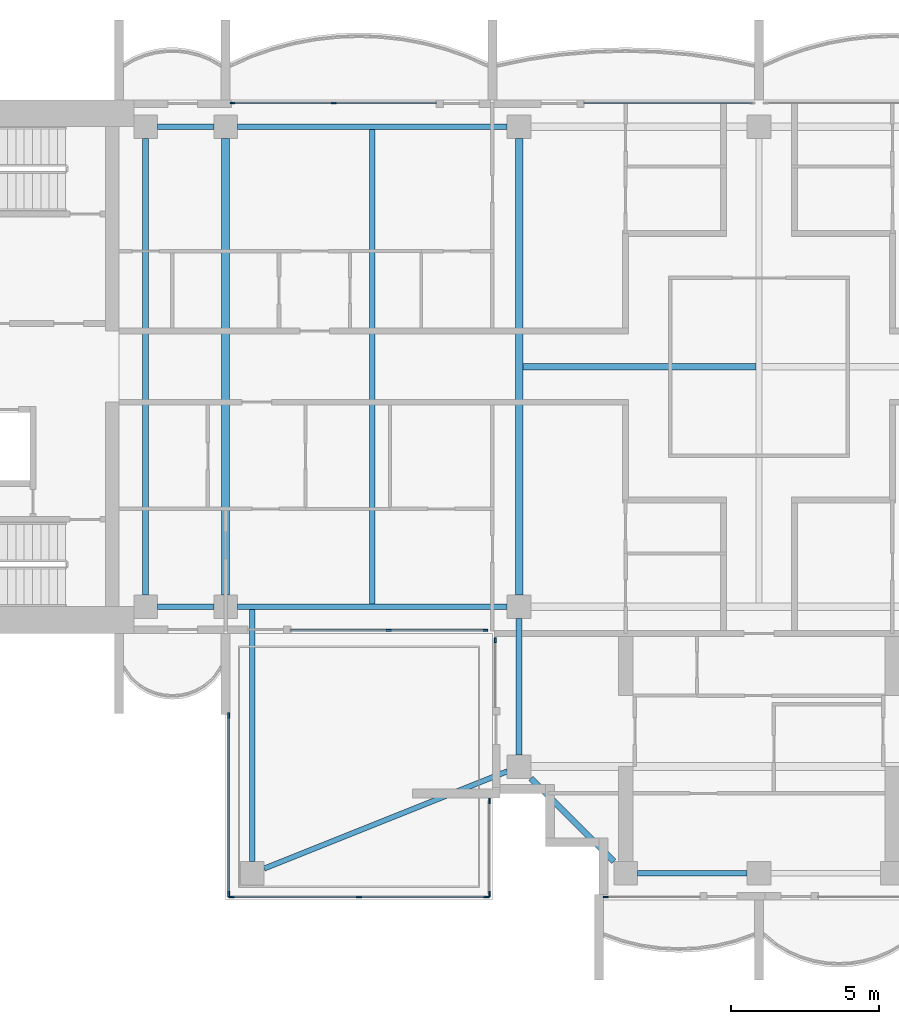
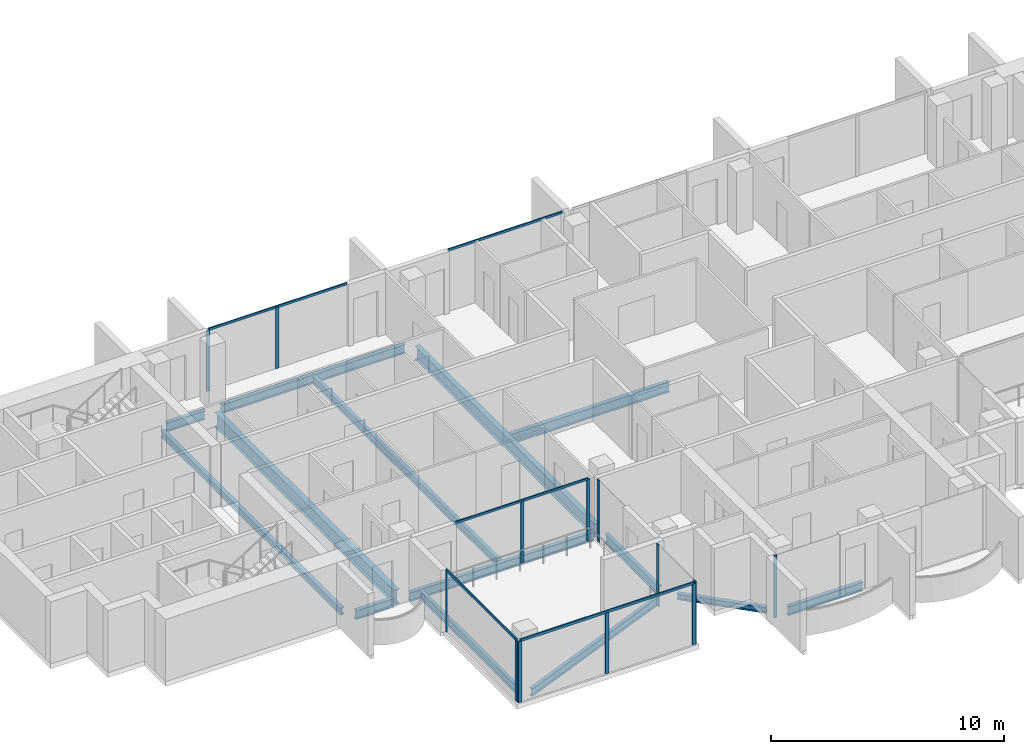
# One storey, part 2 of 16: 18 members, 14 beams, 8 elements without a shape of their own.
"""IFC4 building model written with IfcOpenShell, lengths in metres."""

import ifcopenshell
import ifcopenshell.guid

model = None  # the IFC model being written
_history = None  # IfcOwnerHistory: only IFC2X3 demands one
_inside = {}  # id of a spatial element -> (the spatial element, [elements in it])
_under = {}  # id of a project, library or spatial element -> (it, [spatial elements below it])
_declared = {}  # id of a project -> (the project, [libraries it declares])
_typed = {}  # id of a type object -> (the type object, [elements of that type])
_made_of = {}  # id of a material, layer set ... -> (it, [elements and type objects made of it])


def new_model(schema):
    """Start an empty IFC model of exactly this schema.

    Asked for "IFC4X3", IfcOpenShell would pick the latest addendum, in which some entities
    have other attributes; the version numbers below select the first issue.
    IFC2X3 requires an IfcOwnerHistory on every rooted entity: one is made here for all.
    """
    global model, _history
    if schema == "IFC4X3":
        model = ifcopenshell.file(schema_version=(4, 3, 0, 0))
    else:
        model = ifcopenshell.file(schema=schema)
    _inside.clear()
    _under.clear()
    _declared.clear()
    _typed.clear()
    _made_of.clear()
    _history = None
    if model.schema == "IFC2X3":
        org = make("IfcOrganization", Name="unknown")
        user = make(
            "IfcPersonAndOrganization",
            ThePerson=make("IfcPerson", FamilyName="unknown"),
            TheOrganization=org,
        )
        app = make(
            "IfcApplication",
            ApplicationDeveloper=org,
            Version="unknown",
            ApplicationFullName="unknown",
            ApplicationIdentifier="unknown",
        )
        _history = make(
            "IfcOwnerHistory",
            OwningUser=user,
            OwningApplication=app,
            ChangeAction="ADDED",
            CreationDate=0,
        )
    return model


def make(cls, **values):
    """One entity of the class cls with the attributes given. An attribute that is None is left unset."""
    return model.create_entity(
        cls, **{name: value for name, value in values.items() if value is not None}
    )


def rooted(cls, **values):
    """An entity with a GlobalId (a new one), such as an element, a storey or a relation."""
    return make(cls, GlobalId=ifcopenshell.guid.new(), OwnerHistory=_history, **values)


def si_unit(unit_type, name, prefix=None):
    """IfcSIUnit, for example si_unit("LENGTHUNIT", "METRE", prefix="MILLI")."""
    return make("IfcSIUnit", UnitType=unit_type, Prefix=prefix, Name=name)


def assignment(units):
    """IfcUnitAssignment: the units of a project."""
    return None if units is None else make("IfcUnitAssignment", Units=units)


def point(xyz):
    """IfcCartesianPoint."""
    return None if xyz is None else make("IfcCartesianPoint", Coordinates=xyz)


def direction(xyz):
    """IfcDirection."""
    return None if xyz is None else make("IfcDirection", DirectionRatios=xyz)


def frame(location, z_axis=None, x_axis=None):
    """IfcAxis2Placement3D, a coordinate frame: its origin and axes. An axis left out is left unset."""
    return make(
        "IfcAxis2Placement3D",
        Location=point(location),
        Axis=direction(z_axis),
        RefDirection=direction(x_axis),
    )


def frame_2d(location, x_axis=None):
    """IfcAxis2Placement2D, a coordinate frame in the plane: its origin and x axis."""
    return make(
        "IfcAxis2Placement2D", Location=point(location), RefDirection=direction(x_axis)
    )


def origin():
    """The frame at (0, 0, 0) with its axes left unset."""
    return frame((0.0, 0.0, 0.0))


def origin_2d():
    """The frame at (0, 0) in the plane with its x axis left unset."""
    return frame_2d((0.0, 0.0))


def place(relative_to, where):
    """IfcLocalPlacement: puts the frame where relative to a parent placement (None: the world)."""
    return make(
        "IfcLocalPlacement", PlacementRelTo=relative_to, RelativePlacement=where
    )


def context(
    kind, dimensions, precision=None, world=None, true_north=None, identifier=None
):
    """IfcGeometricRepresentationContext, for example the 3D "Model" context."""
    return make(
        "IfcGeometricRepresentationContext",
        ContextIdentifier=identifier,
        ContextType=kind,
        CoordinateSpaceDimension=dimensions,
        Precision=precision,
        WorldCoordinateSystem=world,
        TrueNorth=true_north,
    )


def subcontext(parent, identifier, kind, view, scale=None):
    """IfcGeometricRepresentationSubContext, for example "Body" below "Model"."""
    return make(
        "IfcGeometricRepresentationSubContext",
        ContextIdentifier=identifier,
        ContextType=kind,
        ParentContext=parent,
        TargetScale=scale,
        TargetView=view,
    )


def project(units=None, contexts=None):
    """IfcProject with its units and contexts."""
    return rooted(
        "IfcProject",
        Name="project",
        RepresentationContexts=contexts,
        UnitsInContext=assignment(units),
    )


def spatial(cls, under=None, at=None, **own):
    """A site, building, storey or space (cls), placed at a placement, below another one or the project."""
    s = rooted(cls, ObjectPlacement=at, **own)
    if under is not None:
        _under.setdefault(under.id(), (under, []))[1].append(s)
    return s


def profile(cls, at=None, kind="AREA", **sizes):
    """A parametric profile (cls). Its sizes go by their IFC names, for example OverallWidth=200.0."""
    return make(cls, ProfileType=kind, Position=at, **sizes)


def rectangle(**sizes):
    """IfcRectangleProfileDef."""
    return profile("IfcRectangleProfileDef", **sizes)


def i_section(**sizes):
    """IfcIShapeProfileDef."""
    return profile("IfcIShapeProfileDef", **sizes)


def extrude(swept, where, along, depth):
    """IfcExtrudedAreaSolid: the profile swept, set in the frame where, extruded along a direction by depth."""
    return make(
        "IfcExtrudedAreaSolid",
        SweptArea=swept,
        Position=where,
        ExtrudedDirection=direction(along),
        Depth=depth,
    )


def shape(context_of_items, identifier, shape_type, items):
    """IfcShapeRepresentation: the items that make up one representation, for example the "Body"."""
    return make(
        "IfcShapeRepresentation",
        ContextOfItems=context_of_items,
        RepresentationIdentifier=identifier,
        RepresentationType=shape_type,
        Items=items,
    )


def material(Name=None, Category=None):
    """IfcMaterial."""
    return make("IfcMaterial", Name=Name, Category=Category)


def material_profile(
    of_material, cross_section, Name=None, Category=None, Priority=None
):
    """IfcMaterialProfile: a cross section and its material."""
    return make(
        "IfcMaterialProfile",
        Name=Name,
        Material=of_material,
        Profile=cross_section,
        Priority=Priority,
        Category=Category,
    )


def profile_set(profiles, Name=None, composite=None):
    """IfcMaterialProfileSet."""
    return make(
        "IfcMaterialProfileSet",
        Name=Name,
        MaterialProfiles=profiles,
        CompositeProfile=composite,
    )


def made_of(thing, what):
    """Note that an element or type object is made of a material, layer set ...; save() writes the relation."""
    if what is not None:
        _made_of.setdefault(what.id(), (what, []))[1].append(thing)
    return thing


def type_object(cls, material=None, **own):
    """A type object (cls), such as IfcWallType, which elements share."""
    return made_of(rooted(cls, **own), material)


def element(
    cls,
    number,
    at=None,
    inside=None,
    cuts=None,
    type_object=None,
    material=None,
    context=None,
    identifier="Body",
    shape_type=None,
    held_by="IfcProductDefinitionShape",
    body=None,
    shapes=None,
    **own,
):
    """One element of the class cls, such as IfcWall. Its Tag is "e" and its number.

    at: its placement. inside: the storey or other place that contains it. cuts: it is an
    opening in that element (IfcRelVoidsElement). A single representation is given by context,
    identifier, shape_type and body (its items); several are given by shapes. held_by: the class
    of the entity that holds the representations. save() writes the other relations.
    """
    e = rooted(cls, Tag="e%d" % number, ObjectPlacement=at, **own)
    if body is not None:
        shapes = [shape(context, identifier, shape_type, body)]
    if shapes is not None:
        e.Representation = make(held_by, Representations=shapes)
    if inside is not None:
        _inside.setdefault(inside.id(), (inside, []))[1].append(e)
    if cuts is not None:
        rooted(
            "IfcRelVoidsElement", RelatingBuildingElement=cuts, RelatedOpeningElement=e
        )
    if type_object is not None:
        _typed.setdefault(type_object.id(), (type_object, []))[1].append(e)
    return made_of(e, material)


def aggregate(whole, parts):
    """IfcRelAggregates: a whole, such as a stair, and the parts it consists of."""
    return rooted("IfcRelAggregates", RelatingObject=whole, RelatedObjects=parts)


def save(model, path):
    """Write the relations noted so far, then the file.

    IfcRelAggregates (storeys below a building ...), IfcRelContainedInSpatialStructure (elements
    in a storey), IfcRelDefinesByType, IfcRelAssociatesMaterial and IfcRelDeclares: one each for
    every whole, place, type object, material and project.
    """
    for whole, parts in _under.values():
        aggregate(whole, parts)
    for where, things in _inside.values():
        rooted(
            "IfcRelContainedInSpatialStructure",
            RelatedElements=things,
            RelatingStructure=where,
        )
    for kind, things in _typed.values():
        rooted("IfcRelDefinesByType", RelatedObjects=things, RelatingType=kind)
    for what, things in _made_of.values():
        rooted("IfcRelAssociatesMaterial", RelatedObjects=things, RelatingMaterial=what)
    for by, libraries in _declared.values():
        rooted("IfcRelDeclares", RelatingContext=by, RelatedDefinitions=libraries)
    model.write(path)


model = new_model("IFC4")

# Units and contexts
model_context = context("Model", 3, precision=1e-05, world=origin(), true_north=direction((0.0, 1.0)))
body_context = subcontext(model_context, "Body", "Model", "MODEL_VIEW")
ifc_project = project(units=[si_unit("LENGTHUNIT", "METRE"), si_unit("AREAUNIT", "SQUARE_METRE"), si_unit("VOLUMEUNIT", "CUBIC_METRE"), si_unit("PLANEANGLEUNIT", "RADIAN"), si_unit("MASSUNIT", "GRAM", prefix="KILO")], contexts=[model_context])

# Site, building, storey
site_placement = place(None, origin())
site = spatial("IfcSite", under=ifc_project, at=site_placement, CompositionType="ELEMENT")
building_placement = place(site_placement, origin())
building = spatial("IfcBuilding", under=site, at=building_placement, Name="Perihelion Cross Residences", CompositionType="ELEMENT")
storey_placement = place(building_placement, frame((0.0, 0.0, 257.0)))
storey = spatial("IfcBuildingStorey", under=building, at=storey_placement, Name="L65", CompositionType="ELEMENT", Elevation=257.0)

# Curtain wall, members
ifc_material_1 = material(Name="Bronze anodised aluminium, tinted glazing", Category="aluminium")
curtain_wall_type_1 = type_object("IfcCurtainWallType", Name="CW1", PredefinedType="NOTDEFINED", material=ifc_material_1)
curtain_wall_1_placement = place(storey_placement, origin())
curtain_wall_1 = element("IfcCurtainWall", 1, at=curtain_wall_1_placement, inside=storey, type_object=curtain_wall_type_1, Name="Curtain wall CW1 L65 west side north bay 1", PredefinedType="NOTDEFINED")
ifc_material_2 = material(Name="Bronze anodised aluminium", Category="aluminium")
ifc_material_profile_1 = material_profile(ifc_material_2, rectangle(XDim=0.06005859375, YDim=0.159912109375, at=origin_2d()), Name="CW1 mullion")
ifc_profile_set_1 = profile_set([ifc_material_profile_1], Name="Bronze anodised aluminium")
member_type_1 = type_object("IfcMemberType", Name="CW1 mullion", PredefinedType="MULLION", material=ifc_profile_set_1)
member_1_placement = place(storey_placement, frame((-14.35009765625, 8.89990234375, 0.0), z_axis=(0.0, 0.0, 1.0), x_axis=(0.0, -1.0, 0.0)))
member_1 = element("IfcMember", 2, at=member_1_placement, type_object=member_type_1, Name="CW1 mullion 2", PredefinedType="MULLION", context=body_context, shape_type="SweptSolid", body=[
    extrude(rectangle(XDim=0.06005859375, YDim=0.159912109375, at=origin_2d()), origin(), (0.0, 0.0, 1.0), 3.18994140625),
])
member_2_placement = place(storey_placement, frame((-17.77001953125, 8.89990234375, 0.0), z_axis=(0.0, 0.0, 1.0), x_axis=(0.0, -1.0, 0.0)))
member_2 = element("IfcMember", 3, at=member_2_placement, type_object=member_type_1, Name="CW1 mullion 3", PredefinedType="MULLION", context=body_context, shape_type="SweptSolid", body=[
    extrude(rectangle(XDim=0.06005859375, YDim=0.159912109375, at=origin_2d()), origin(), (0.0, 0.0, 1.0), 3.18994140625),
])

curtain_wall_2_placement = place(storey_placement, origin())
curtain_wall_2 = element("IfcCurtainWall", 4, at=curtain_wall_2_placement, inside=storey, type_object=curtain_wall_type_1, Name="Curtain wall CW1 L65 west side south bay 2", PredefinedType="NOTDEFINED")
member_3_placement = place(storey_placement, frame((-12.5, -8.89990234375, 0.0), z_axis=(0.0, 0.0, 1.0), x_axis=(0.0, 1.0, 0.0)))
member_3 = element("IfcMember", 5, at=member_3_placement, type_object=member_type_1, Name="CW1 mullion 2", PredefinedType="MULLION", context=body_context, shape_type="SweptSolid", body=[
    extrude(rectangle(XDim=0.06005859375, YDim=0.159912109375, at=origin_2d()), origin(), (0.0, 0.0, 1.0), 3.18994140625),
])
member_4_placement = place(storey_placement, frame((-9.22998046875, -8.89990234375, 0.0), z_axis=(0.0, 0.0, 1.0), x_axis=(0.0, 1.0, 0.0)))
member_4 = element("IfcMember", 6, at=member_4_placement, type_object=member_type_1, Name="CW1 mullion 3", PredefinedType="MULLION", context=body_context, shape_type="SweptSolid", body=[
    extrude(rectangle(XDim=0.06005859375, YDim=0.159912109375, at=origin_2d()), origin(), (0.0, 0.0, 1.0), 3.18994140625),
])

# Curtain wall, member
curtain_wall_3_placement = place(storey_placement, origin())
curtain_wall_3 = element("IfcCurtainWall", 7, at=curtain_wall_3_placement, inside=storey, type_object=curtain_wall_type_1, Name="Curtain wall CW1 L65 south side west bay 1", PredefinedType="NOTDEFINED")
member_5_placement = place(storey_placement, frame((-8.89990234375, -9.22998046875, 0.0), z_axis=(0.0, 0.0, 1.0), x_axis=(1.0, 0.0, 0.0)))
member_5 = element("IfcMember", 8, at=member_5_placement, type_object=member_type_1, Name="CW1 mullion 1", PredefinedType="MULLION", context=body_context, shape_type="SweptSolid", body=[
    extrude(rectangle(XDim=0.06005859375, YDim=0.159912109375, at=origin_2d()), origin(), (0.0, 0.0, 1.0), 3.25),
])
aggregate(curtain_wall_3, [member_5])

curtain_wall_4_placement = place(storey_placement, origin())
curtain_wall_4 = element("IfcCurtainWall", 9, at=curtain_wall_4_placement, inside=storey, type_object=curtain_wall_type_1, Name="Curtain wall CW1 L65 south tip south bay 1", PredefinedType="NOTDEFINED")
member_6_placement = place(storey_placement, frame((-5.169921875, -17.89990234375, 0.0), z_axis=(0.0, 0.0, 1.0), x_axis=(0.0, 1.0, 0.0)))
member_6 = element("IfcMember", 10, at=member_6_placement, type_object=member_type_1, Name="CW1 mullion 1", PredefinedType="MULLION", context=body_context, shape_type="SweptSolid", body=[
    extrude(rectangle(XDim=0.06005859375, YDim=0.159912109375, at=origin_2d()), origin(), (0.0, 0.0, 1.0), 3.25),
])
aggregate(curtain_wall_4, [member_6])

curtain_wall_5_placement = place(storey_placement, origin())
curtain_wall_5 = element("IfcCurtainWall", 11, at=curtain_wall_5_placement, inside=storey, type_object=curtain_wall_type_1, Name="Curtain wall CW1 L65 north side east bay 2", PredefinedType="NOTDEFINED")
ifc_material_3 = material(Name="Bronze anodised aluminium", Category="aluminium")
ifc_material_profile_2 = material_profile(ifc_material_3, rectangle(XDim=0.06005859375, YDim=0.1201171875, at=origin_2d()), Name="CW1 transom")
ifc_profile_set_2 = profile_set([ifc_material_profile_2], Name="Bronze anodised aluminium")
member_type_2 = type_object("IfcMemberType", Name="CW1 transom", PredefinedType="USERDEFINED", material=ifc_profile_set_2)
member_7_placement = place(storey_placement, frame((-0.22998046875, 8.89990234375, 3.219970703125), z_axis=(-1.0, 0.0, 0.0), x_axis=(0.0, -1.0, 0.0)))
member_7 = element("IfcMember", 12, at=member_7_placement, type_object=member_type_2, Name="CW1 head transom", ObjectType="TRANSOM", PredefinedType="USERDEFINED", context=body_context, shape_type="SweptSolid", body=[
    extrude(rectangle(XDim=0.06005859375, YDim=0.1201171875, at=origin_2d()), origin(), (0.0, 0.0, 1.0), 5.669921875),
])
aggregate(curtain_wall_5, [member_7])

# Member
member_8_placement = place(storey_placement, frame((-10.89990234375, 8.89990234375, 3.219970703125), z_axis=(-1.0, 0.0, 0.0), x_axis=(0.0, -1.0, 0.0)))
member_8 = element("IfcMember", 13, at=member_8_placement, type_object=member_type_2, Name="CW1 head transom", ObjectType="TRANSOM", PredefinedType="USERDEFINED", context=body_context, shape_type="SweptSolid", body=[
    extrude(rectangle(XDim=0.06005859375, YDim=0.1201171875, at=origin_2d()), origin(), (0.0, 0.0, 1.0), 6.8701171875),
])

aggregate(curtain_wall_1, [member_1, member_2, member_8])

member_9_placement = place(storey_placement, frame((-15.800048828125, -8.89990234375, 3.219970703125), z_axis=(1.0, 0.0, 0.0), x_axis=(0.0, 1.0, 0.0)))
member_9 = element("IfcMember", 14, at=member_9_placement, type_object=member_type_2, Name="CW1 head transom", ObjectType="TRANSOM", PredefinedType="USERDEFINED", context=body_context, shape_type="SweptSolid", body=[
    extrude(rectangle(XDim=0.06005859375, YDim=0.1201171875, at=origin_2d()), origin(), (0.0, 0.0, 1.0), 6.570068359375),
])

aggregate(curtain_wall_2, [member_3, member_4, member_9])

# Curtain wall, members
ifc_material_4 = material(Name="Bronze anodised aluminium, tinted glazing", Category="aluminium")
curtain_wall_type_2 = type_object("IfcCurtainWallType", Name="CW4", PredefinedType="NOTDEFINED", material=ifc_material_4)
curtain_wall_6_placement = place(storey_placement, origin())
curtain_wall_6 = element("IfcCurtainWall", 15, at=curtain_wall_6_placement, inside=storey, type_object=curtain_wall_type_2, Name="Curtain wall CW4 L65 pocket south-west 1 1", PredefinedType="NOTDEFINED")
ifc_material_5 = material(Name="Bronze anodised aluminium", Category="aluminium")
ifc_material_profile_3 = material_profile(ifc_material_5, rectangle(XDim=0.06005859375, YDim=0.179931640625, at=origin_2d()), Name="CW4 mullion")
ifc_profile_set_3 = profile_set([ifc_material_profile_3], Name="Bronze anodised aluminium")
member_type_3 = type_object("IfcMemberType", Name="CW4 mullion", PredefinedType="MULLION", material=ifc_profile_set_3)
member_10_placement = place(storey_placement, frame((-9.10009765625, -14.658935546875, 0.0), z_axis=(0.0, 0.0, 1.0), x_axis=(1.0, 0.0, 0.0)))
member_10 = element("IfcMember", 16, at=member_10_placement, type_object=member_type_3, Name="CW4 mullion 1", PredefinedType="MULLION", context=body_context, shape_type="SweptSolid", body=[
    extrude(rectangle(XDim=0.06005859375, YDim=0.179931640625, at=origin_2d()), origin(), (0.0, 0.0, 1.0), 3.25),
])
member_11_placement = place(storey_placement, frame((-9.10009765625, -17.800048828125, 0.0), z_axis=(0.0, 0.0, 1.0), x_axis=(1.0, 0.0, 0.0)))
member_11 = element("IfcMember", 17, at=member_11_placement, type_object=member_type_3, Name="CW4 mullion 2", PredefinedType="MULLION", context=body_context, shape_type="SweptSolid", body=[
    extrude(rectangle(XDim=0.06005859375, YDim=0.179931640625, at=origin_2d()), origin(), (0.0, 0.0, 1.0), 3.25),
])
aggregate(curtain_wall_6, [member_10, member_11])

curtain_wall_7_placement = place(storey_placement, origin())
curtain_wall_7 = element("IfcCurtainWall", 18, at=curtain_wall_7_placement, inside=storey, type_object=curtain_wall_type_2, Name="Curtain wall CW4 L65 pocket south-west 1 2", PredefinedType="NOTDEFINED")
member_12_placement = place(storey_placement, frame((-9.199951171875, -17.89990234375, 0.0), z_axis=(0.0, 0.0, 1.0), x_axis=(0.0, -1.0, 0.0)))
member_12 = element("IfcMember", 19, at=member_12_placement, type_object=member_type_3, Name="CW4 mullion 1", PredefinedType="MULLION", context=body_context, shape_type="SweptSolid", body=[
    extrude(rectangle(XDim=0.06005859375, YDim=0.179931640625, at=origin_2d()), origin(), (0.0, 0.0, 1.0), 3.18994140625),
])
member_13_placement = place(storey_placement, frame((-13.5, -17.89990234375, 0.0), z_axis=(0.0, 0.0, 1.0), x_axis=(0.0, -1.0, 0.0)))
member_13 = element("IfcMember", 20, at=member_13_placement, type_object=member_type_3, Name="CW4 mullion 2", PredefinedType="MULLION", context=body_context, shape_type="SweptSolid", body=[
    extrude(rectangle(XDim=0.06005859375, YDim=0.179931640625, at=origin_2d()), origin(), (0.0, 0.0, 1.0), 3.18994140625),
])
member_14_placement = place(storey_placement, frame((-17.800048828125, -17.89990234375, 0.0), z_axis=(0.0, 0.0, 1.0), x_axis=(0.0, -1.0, 0.0)))
member_14 = element("IfcMember", 21, at=member_14_placement, type_object=member_type_3, Name="CW4 mullion 3", PredefinedType="MULLION", context=body_context, shape_type="SweptSolid", body=[
    extrude(rectangle(XDim=0.06005859375, YDim=0.179931640625, at=origin_2d()), origin(), (0.0, 0.0, 1.0), 3.18994140625),
])

curtain_wall_8_placement = place(storey_placement, origin())
curtain_wall_8 = element("IfcCurtainWall", 22, at=curtain_wall_8_placement, inside=storey, type_object=curtain_wall_type_2, Name="Curtain wall CW4 L65 pocket south-west 1 3", PredefinedType="NOTDEFINED")
member_15_placement = place(storey_placement, frame((-17.89990234375, -17.800048828125, 0.0), z_axis=(0.0, 0.0, 1.0), x_axis=(-1.0, 0.0, 0.0)))
member_15 = element("IfcMember", 23, at=member_15_placement, type_object=member_type_3, Name="CW4 mullion 1", PredefinedType="MULLION", context=body_context, shape_type="SweptSolid", body=[
    extrude(rectangle(XDim=0.06005859375, YDim=0.179931640625, at=origin_2d()), origin(), (0.0, 0.0, 1.0), 3.18994140625),
])
member_16_placement = place(storey_placement, frame((-17.89990234375, -11.77001953125, 0.0), z_axis=(0.0, 0.0, 1.0), x_axis=(-1.0, 0.0, 0.0)))
member_16 = element("IfcMember", 24, at=member_16_placement, type_object=member_type_3, Name="CW4 mullion 2", PredefinedType="MULLION", context=body_context, shape_type="SweptSolid", body=[
    extrude(rectangle(XDim=0.06005859375, YDim=0.179931640625, at=origin_2d()), origin(), (0.0, 0.0, 1.0), 3.18994140625),
])

# Member
ifc_material_6 = material(Name="Bronze anodised aluminium", Category="aluminium")
ifc_material_profile_4 = material_profile(ifc_material_6, rectangle(XDim=0.06005859375, YDim=0.139892578125, at=origin_2d()), Name="CW4 transom")
ifc_profile_set_4 = profile_set([ifc_material_profile_4], Name="Bronze anodised aluminium")
member_type_4 = type_object("IfcMemberType", Name="CW4 transom", PredefinedType="USERDEFINED", material=ifc_profile_set_4)
member_17_placement = place(storey_placement, frame((-9.199951171875, -17.89990234375, 3.219970703125), z_axis=(-1.0, 0.0, 0.0), x_axis=(0.0, -1.0, 0.0)))
member_17 = element("IfcMember", 25, at=member_17_placement, type_object=member_type_4, Name="CW4 head transom", ObjectType="TRANSOM", PredefinedType="USERDEFINED", context=body_context, shape_type="SweptSolid", body=[
    extrude(rectangle(XDim=0.06005859375, YDim=0.139892578125, at=origin_2d()), origin(), (0.0, 0.0, 1.0), 8.60009765625),
])

aggregate(curtain_wall_7, [member_12, member_13, member_14, member_17])

member_18_placement = place(storey_placement, frame((-17.89990234375, -17.800048828125, 3.219970703125), z_axis=(0.0, 1.0, 0.0), x_axis=(-1.0, 0.0, 0.0)))
member_18 = element("IfcMember", 26, at=member_18_placement, type_object=member_type_4, Name="CW4 head transom", ObjectType="TRANSOM", PredefinedType="USERDEFINED", context=body_context, shape_type="SweptSolid", body=[
    extrude(rectangle(XDim=0.06005859375, YDim=0.139892578125, at=origin_2d()), origin(), (0.0, 0.0, 1.0), 6.030029296875),
])

aggregate(curtain_wall_8, [member_15, member_16, member_18])

# Beams
ifc_material_7 = material(Name="Steel S355", Category="steel")
ifc_material_profile_5 = material_profile(ifc_material_7, i_section(OverallWidth=0.205078125, OverallDepth=0.35302734375, WebThickness=0.009521484375, FlangeThickness=0.016845703125, at=origin_2d()), Name="W360x79")
ifc_profile_set_5 = profile_set([ifc_material_profile_5], Name="Steel S355")
beam_type_1 = type_object("IfcBeamType", Name="Core edge beam W360x79", PredefinedType="BEAM", material=ifc_profile_set_5)
beam_1_placement = place(storey_placement, frame((-20.699951171875, -7.699951171875, -0.426513671875), z_axis=(0.0, 1.0, 0.0), x_axis=(-1.0, 0.0, 0.0)))
element("IfcBeam", 27, at=beam_1_placement, inside=storey, type_object=beam_type_1, Name="Core edge beam TB7 L65 no. 1", PredefinedType="BEAM", context=body_context, shape_type="SweptSolid", body=[
    extrude(i_section(OverallWidth=0.205078125, OverallDepth=0.35302734375, WebThickness=0.009521484375, FlangeThickness=0.016845703125, at=origin_2d()), origin(), (0.0, 0.0, 1.0), 15.39990234375),
])
ifc_material_8 = material(Name="Steel S355", Category="steel")
ifc_material_profile_6 = material_profile(ifc_material_8, i_section(OverallWidth=0.177978515625, OverallDepth=0.406005859375, WebThickness=0.0078125, FlangeThickness=0.0126953125, at=origin_2d()), Name="W410x60")
ifc_profile_set_6 = profile_set([ifc_material_profile_6], Name="Steel S355")
beam_type_2 = type_object("IfcBeamType", Name="Core edge beam W410x60", PredefinedType="BEAM", material=ifc_profile_set_6)
beam_2_placement = place(storey_placement, frame((-17.10009765625, -8.197021484375, -0.452880859375), z_axis=(0.0, -1.0, 0.0), x_axis=(1.0, 0.0, 0.0)))
element("IfcBeam", 28, at=beam_2_placement, inside=storey, type_object=beam_type_2, Name="Core edge beam TB2 L65 corner no. 1", PredefinedType="BEAM", context=body_context, shape_type="SweptSolid", body=[
    extrude(i_section(OverallWidth=0.177978515625, OverallDepth=0.406005859375, WebThickness=0.0078125, FlangeThickness=0.0126953125, at=origin_2d()), origin(), (0.0, 0.0, 1.0), 8.5029296875),
])
beam_3_placement = place(storey_placement, frame((-8.5, -13.659912109375, -0.452880859375), z_axis=(-0.928474784399, -0.371395442534, 0.0), x_axis=(0.371395442534, -0.928474784399, 0.0)))
element("IfcBeam", 29, at=beam_3_placement, inside=storey, type_object=beam_type_2, Name="Core edge beam TB2 L65 corner no. 2", PredefinedType="BEAM", context=body_context, shape_type="SweptSolid", body=[
    extrude(i_section(OverallWidth=0.177978515625, OverallDepth=0.406005859375, WebThickness=0.0078125, FlangeThickness=0.0126953125, at=origin_2d()), origin(), (0.0, 0.0, 1.0), 8.83154296875),
])
ifc_material_9 = material(Name="Steel S355", Category="steel")
ifc_material_profile_7 = material_profile(ifc_material_9, i_section(OverallWidth=0.194091796875, OverallDepth=0.469970703125, WebThickness=0.0126953125, FlangeThickness=0.0205078125, at=origin_2d()), Name="W460x106")
ifc_profile_set_7 = profile_set([ifc_material_profile_7], Name="Steel S355")
beam_type_3 = type_object("IfcBeamType", Name="Edge beam W460x106", PredefinedType="SPANDREL", material=ifc_profile_set_7)
beam_4_placement = place(storey_placement, frame((-8.5, 8.10009765625, -0.485107421875), z_axis=(-1.0, 0.0, 0.0), x_axis=(0.0, -1.0, 0.0)))
element("IfcBeam", 30, at=beam_4_placement, inside=storey, type_object=beam_type_3, Name="Edge beam SB5 L65 no. 6", PredefinedType="SPANDREL", context=body_context, shape_type="SweptSolid", body=[
    extrude(i_section(OverallWidth=0.194091796875, OverallDepth=0.469970703125, WebThickness=0.0126953125, FlangeThickness=0.0205078125, at=origin_2d()), origin(), (0.0, 0.0, 1.0), 9.10009765625),
])
for number, where, z_axis, x_axis, name in (
    (31, (-18.39990234375, 8.10009765625, -0.485107421875), (-1.0, 0.0, 0.0), (0.0, -1.0, 0.0), "Edge beam SB5 L65 no. 2"),
    (32, (-20.300048828125, -8.10009765625, -0.485107421875), (1.0, 0.0, 0.0), (0.0, 1.0, 0.0), "Edge beam SB5 L65 no. 3"),
):
    element("IfcBeam", number, at=place(storey_placement, frame(where, z_axis=z_axis, x_axis=x_axis)), inside=storey, type_object=beam_type_3, Name=name, PredefinedType="SPANDREL", context=body_context, shape_type="SweptSolid", body=[
        extrude(i_section(OverallWidth=0.194091796875, OverallDepth=0.469970703125, WebThickness=0.0126953125, FlangeThickness=0.0205078125, at=origin_2d()), origin(), (0.0, 0.0, 1.0), 1.900146484375),
    ])
beam_5_placement = place(storey_placement, frame((-17.60009765625, -8.10009765625, -0.485107421875), z_axis=(1.0, 0.0, 0.0), x_axis=(0.0, 1.0, 0.0)))
element("IfcBeam", 33, at=beam_5_placement, inside=storey, type_object=beam_type_3, Name="Edge beam SB5 L65 no. 1", PredefinedType="SPANDREL", context=body_context, shape_type="SweptSolid", body=[
    extrude(i_section(OverallWidth=0.194091796875, OverallDepth=0.469970703125, WebThickness=0.0126953125, FlangeThickness=0.0205078125, at=origin_2d()), origin(), (0.0, 0.0, 1.0), 9.10009765625),
])
beam_6_placement = place(storey_placement, frame((-8.10009765625, -8.5, -0.485107421875), z_axis=(0.0, -1.0, 0.0), x_axis=(1.0, 0.0, 0.0)))
element("IfcBeam", 34, at=beam_6_placement, inside=storey, type_object=beam_type_3, Name="Edge beam SB5 L65 no. 5", PredefinedType="SPANDREL", context=body_context, shape_type="SweptSolid", body=[
    extrude(i_section(OverallWidth=0.194091796875, OverallDepth=0.469970703125, WebThickness=0.0126953125, FlangeThickness=0.0205078125, at=origin_2d()), origin(), (0.0, 0.0, 1.0), 4.60009765625),
])
beam_7_placement = place(storey_placement, frame((-4.10009765625, -17.10009765625, -0.485107421875), z_axis=(1.0, 0.0, 0.0), x_axis=(0.0, 1.0, 0.0)))
element("IfcBeam", 35, at=beam_7_placement, inside=storey, type_object=beam_type_3, Name="Edge beam SB5 L65 no. 4", PredefinedType="SPANDREL", context=body_context, shape_type="SweptSolid", body=[
    extrude(i_section(OverallWidth=0.194091796875, OverallDepth=0.469970703125, WebThickness=0.0126953125, FlangeThickness=0.0205078125, at=origin_2d()), origin(), (0.0, 0.0, 1.0), 3.7001953125),
])
ifc_material_10 = material(Name="Steel S355", Category="steel")
ifc_material_profile_8 = material_profile(ifc_material_10, i_section(OverallWidth=0.26708984375, OverallDepth=0.75390625, WebThickness=0.01318359375, FlangeThickness=0.01708984375, at=origin_2d()), Name="W760x147")
ifc_profile_set_8 = profile_set([ifc_material_profile_8], Name="Steel S355")
beam_type_4 = type_object("IfcBeamType", Name="Floor girder W760x147", PredefinedType="BEAM", material=ifc_profile_set_8)
beam_8_placement = place(storey_placement, frame((-18.0, -7.699951171875, -0.626953125), z_axis=(0.0, 1.0, 0.0), x_axis=(-1.0, 0.0, 0.0)))
element("IfcBeam", 36, at=beam_8_placement, inside=storey, type_object=beam_type_4, Name="Girder G5 L65 no. 1", PredefinedType="BEAM", context=body_context, shape_type="SweptSolid", body=[
    extrude(i_section(OverallWidth=0.26708984375, OverallDepth=0.75390625, WebThickness=0.01318359375, FlangeThickness=0.01708984375, at=origin_2d()), origin(), (0.0, 0.0, 1.0), 15.39990234375),
])
ifc_material_11 = material(Name="Steel S355", Category="steel")
ifc_material_profile_9 = material_profile(ifc_material_11, i_section(OverallWidth=0.177978515625, OverallDepth=0.406005859375, WebThickness=0.0078125, FlangeThickness=0.0126953125, at=origin_2d()), Name="W410x60")
ifc_profile_set_9 = profile_set([ifc_material_profile_9], Name="Steel S355")
beam_type_5 = type_object("IfcBeamType", Name="Floor joist W410x60", PredefinedType="JOIST", material=ifc_profile_set_9)
beam_9_placement = place(storey_placement, frame((-13.050048828125, -8.0029296875, -0.452880859375), z_axis=(0.0, 1.0, 0.0), x_axis=(-1.0, 0.0, 0.0)))
element("IfcBeam", 37, at=beam_9_placement, inside=storey, type_object=beam_type_5, Name="Joist J6 L65 no. 1", PredefinedType="JOIST", context=body_context, shape_type="SweptSolid", body=[
    extrude(i_section(OverallWidth=0.177978515625, OverallDepth=0.406005859375, WebThickness=0.0078125, FlangeThickness=0.0126953125, at=origin_2d()), origin(), (0.0, 0.0, 1.0), 16.005859375),
])
ifc_material_12 = material(Name="Steel S355", Category="steel")
ifc_material_profile_10 = material_profile(ifc_material_12, i_section(OverallWidth=0.208984375, OverallDepth=0.532958984375, WebThickness=0.01025390625, FlangeThickness=0.015625, at=origin_2d()), Name="W530x92")
ifc_profile_set_10 = profile_set([ifc_material_profile_10], Name="Steel S355")
beam_type_6 = type_object("IfcBeamType", Name="Hub cross beam W530x92", PredefinedType="BEAM", material=ifc_profile_set_10)
beam_10_placement = place(storey_placement, frame((-7.972900390625, 0.0, -0.5166015625), z_axis=(1.0, 0.0, 0.0), x_axis=(0.0, 1.0, 0.0)))
element("IfcBeam", 38, at=beam_10_placement, inside=storey, type_object=beam_type_6, Name="Hub cross beam XB5 L65 1 no. 1", PredefinedType="BEAM", context=body_context, shape_type="SweptSolid", body=[
    extrude(i_section(OverallWidth=0.208984375, OverallDepth=0.532958984375, WebThickness=0.01025390625, FlangeThickness=0.015625, at=origin_2d()), origin(), (0.0, 0.0, 1.0), 7.868408203125),
])
ifc_material_13 = material(Name="Steel S355", Category="steel")
ifc_material_profile_11 = material_profile(ifc_material_13, i_section(OverallWidth=0.25390625, OverallDepth=0.677978515625, WebThickness=0.01171875, FlangeThickness=0.016357421875, at=origin_2d()), Name="W690x125")
ifc_profile_set_11 = profile_set([ifc_material_profile_11], Name="Steel S355")
beam_type_7 = type_object("IfcBeamType", Name="Hub ring girder W690x125", PredefinedType="BEAM", material=ifc_profile_set_11)
beam_11_placement = place(storey_placement, frame((-8.10009765625, 7.699951171875, -0.589111328125), z_axis=(0.0, -1.0, 0.0), x_axis=(1.0, 0.0, 0.0)))
element("IfcBeam", 39, at=beam_11_placement, inside=storey, type_object=beam_type_7, Name="Hub ring girder RG5 L65 no. 2", PredefinedType="BEAM", context=body_context, shape_type="SweptSolid", body=[
    extrude(i_section(OverallWidth=0.25390625, OverallDepth=0.677978515625, WebThickness=0.01171875, FlangeThickness=0.016357421875, at=origin_2d()), origin(), (0.0, 0.0, 1.0), 15.39990234375),
])
ifc_material_14 = material(Name="Steel S355", Category="steel")
ifc_material_profile_12 = material_profile(ifc_material_14, i_section(OverallWidth=0.202880859375, OverallDepth=0.302001953125, WebThickness=0.007568359375, FlangeThickness=0.01318359375, at=origin_2d()), Name="W310x60")
ifc_profile_set_12 = profile_set([ifc_material_profile_12], Name="Steel S355")
beam_type_8 = type_object("IfcBeamType", Name="Serration edge beam W310x60", PredefinedType="BEAM", material=ifc_profile_set_12)
beam_12_placement = place(storey_placement, frame((-7.699951171875, -13.89990234375, -0.40087890625), z_axis=(0.707106781187, -0.707106781187, 0.0), x_axis=(0.707106781187, 0.707106781187, 0.0)))
element("IfcBeam", 40, at=beam_12_placement, inside=storey, type_object=beam_type_8, Name="Serration edge beam EB5 L65 no. 1", PredefinedType="BEAM", context=body_context, shape_type="SweptSolid", body=[
    extrude(i_section(OverallWidth=0.202880859375, OverallDepth=0.302001953125, WebThickness=0.007568359375, FlangeThickness=0.01318359375, at=origin_2d()), origin(), (0.0, 0.0, 1.0), 3.9599609375),
])

save(model, "model.ifc")
